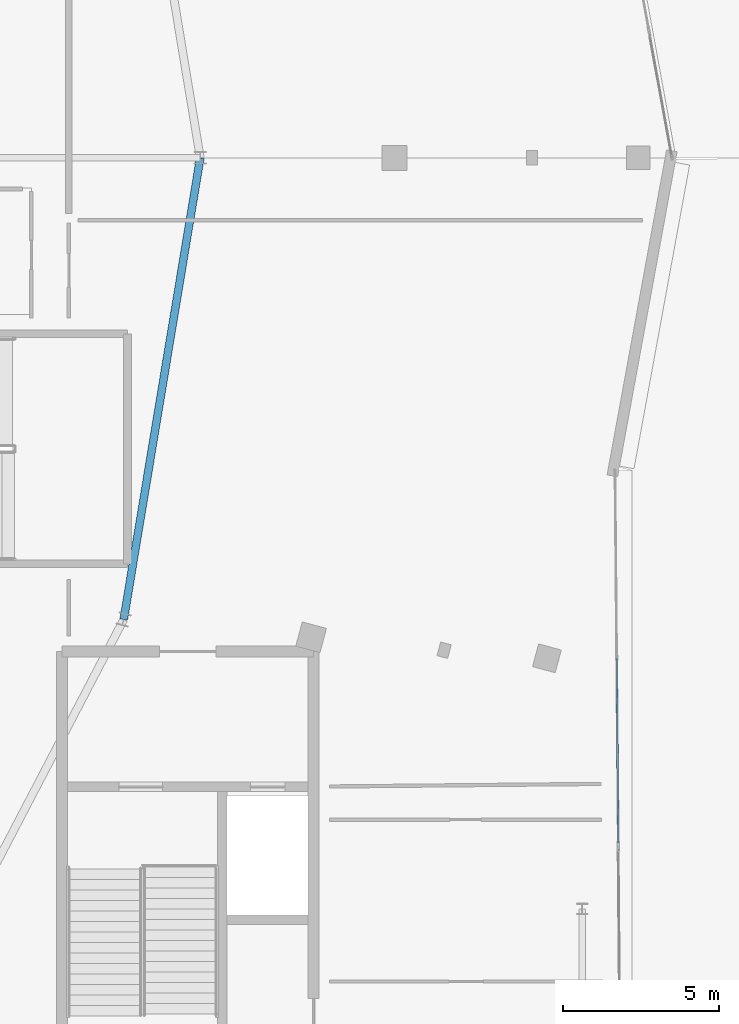
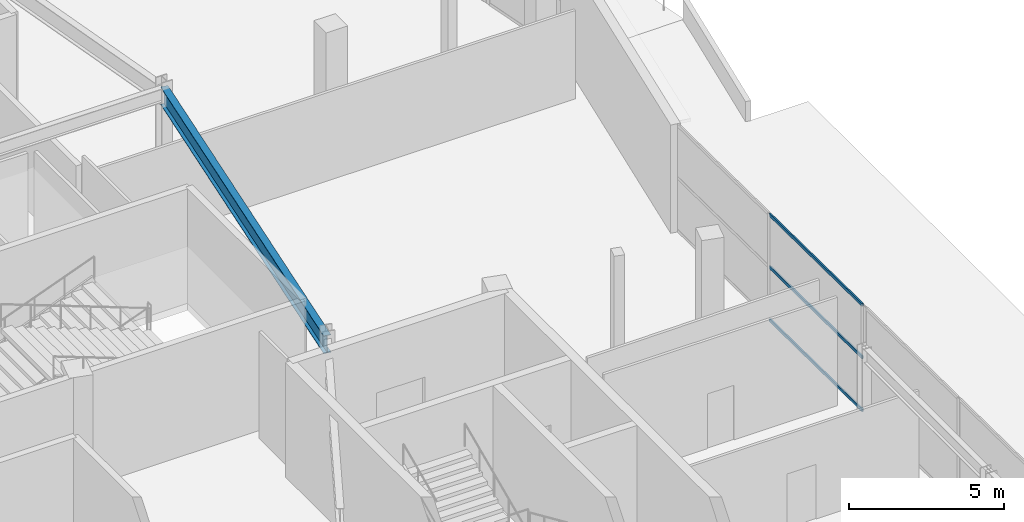
# One storey, part 51 of 107: 3 members, 1 beam, 1 element without a shape of its own.
"""IFC4 building model written with IfcOpenShell, lengths in metres."""

from ifc_helpers import new_model, si_unit, direction, frame, origin, origin_2d, place, context, subcontext, project, spatial, hollow_rectangle, i_section, extrude, material, layer, layer_set, material_profile, profile_set, type_object, element, aggregate, save


model = new_model("IFC4")

# Units and contexts
model_context = context("Model", 3, precision=1e-05, world=origin(), true_north=direction((0.0, 1.0)))
body_context = subcontext(model_context, "Body", "Model", "MODEL_VIEW")
ifc_project = project(units=[si_unit("LENGTHUNIT", "METRE"), si_unit("AREAUNIT", "SQUARE_METRE"), si_unit("VOLUMEUNIT", "CUBIC_METRE"), si_unit("PLANEANGLEUNIT", "RADIAN"), si_unit("MASSUNIT", "GRAM", prefix="KILO")], contexts=[model_context])

# Site, building, storey
site_placement = place(None, origin())
site = spatial("IfcSite", under=ifc_project, at=site_placement, CompositionType="ELEMENT")
building_placement = place(site_placement, origin())
building = spatial("IfcBuilding", under=site, at=building_placement, Name="Kalgoora Escarpment Arena", CompositionType="ELEMENT")
storey_placement = place(building_placement, frame((0.0, 0.0, 5.39990234375)))
storey = spatial("IfcBuildingStorey", under=building, at=storey_placement, Name="L01", CompositionType="ELEMENT", Elevation=5.39990234375)

# Beam
ifc_material_1 = material(Name="Structural steel AS/NZS 3679 (300 MPa)", Category="steel")
ifc_material_profile_1 = material_profile(ifc_material_1, i_section(OverallWidth=0.25, OverallDepth=0.699951171875, WebThickness=0.010009765625, FlangeThickness=0.02001953125, at=origin_2d()))
ifc_profile_set_1 = profile_set([ifc_material_profile_1], Name="Structural steel AS/NZS 3679 (300 MPa)")
beam_type = type_object("IfcBeamType", Name="BM-SPANDREL-700WB130", PredefinedType="SPANDREL", material=ifc_profile_set_1)
beam_placement = place(storey_placement, frame((161.75341796875, 49.247314453125, 3.85009765625), z_axis=(0.163602052226, 0.986526415514, 0.0), x_axis=(-0.986526415514, 0.163602052226, 0.0)))
element("IfcBeam", 1, at=beam_placement, inside=storey, type_object=beam_type, Name="L01 Circumferential concourse girder RCONC2 700WB130", PredefinedType="SPANDREL", context=body_context, shape_type="SweptSolid", body=[
    extrude(i_section(OverallWidth=0.25, OverallDepth=0.699951171875, WebThickness=0.010009765625, FlangeThickness=0.02001953125, at=origin_2d()), origin(), (0.0, 0.0, 1.0), 14.9541015625),
])

# Curtain wall, members
ifc_material_2 = material(Name=" Champagne anodised aluminium & double-glazed low-E", Category="aluminium")
ifc_layer = layer(ifc_material_2, 0.162109375)
ifc_layer_set = layer_set([ifc_layer], Name="CW-UNIT-18")
curtain_wall_type = type_object("IfcCurtainWallType", Name="CW-UNIT-18", PredefinedType="NOTDEFINED", material=ifc_layer_set)
curtain_wall_placement = place(storey_placement, origin())
curtain_wall = element("IfcCurtainWall", 2, at=curtain_wall_placement, inside=storey, type_object=curtain_wall_type, Name="L01 unitised facade curtain wall 037", PredefinedType="NOTDEFINED")
ifc_material_3 = material(Name="Anodised aluminium 6063-T6", Category="aluminium")
ifc_material_profile_2 = material_profile(ifc_material_3, hollow_rectangle(XDim=0.054931640625, YDim=0.1201171875, WallThickness=0.003173828125, at=origin_2d()))
ifc_profile_set_2 = profile_set([ifc_material_profile_2], Name="Anodised aluminium 6063-T6")
member_type = type_object("IfcMemberType", Name="MEM-CW-TRAN-120", PredefinedType="USERDEFINED", material=ifc_profile_set_2)
member_1_placement = place(storey_placement, frame((177.504150390625, 47.993896484375, 0.047607421875), z_axis=(0.008960436779, -0.999959854481, 0.0), x_axis=(0.999959854481, 0.008960436779, 0.0)))
member_1 = element("IfcMember", 3, at=member_1_placement, type_object=member_type, Name="CW-18 transom 2.1", ObjectType="TRANSOM", PredefinedType="USERDEFINED", context=body_context, shape_type="SweptSolid", body=[
    extrude(hollow_rectangle(XDim=0.054931640625, YDim=0.1201171875, WallThickness=0.003173828125, at=origin_2d()), origin(), (0.0, 0.0, 1.0), 5.88525390625),
])
member_2_placement = place(storey_placement, frame((177.504150390625, 47.993896484375, 2.130126953125), z_axis=(0.008960436779, -0.999959854481, 0.0), x_axis=(0.999959854481, 0.008960436779, 0.0)))
member_2 = element("IfcMember", 4, at=member_2_placement, type_object=member_type, Name="CW-18 transom 2.2", ObjectType="TRANSOM", PredefinedType="USERDEFINED", context=body_context, shape_type="SweptSolid", body=[
    extrude(hollow_rectangle(XDim=0.054931640625, YDim=0.1201171875, WallThickness=0.003173828125, at=origin_2d()), origin(), (0.0, 0.0, 1.0), 5.88525390625),
])
member_3_placement = place(storey_placement, frame((177.504150390625, 47.993896484375, 4.192626953125), z_axis=(0.008960436779, -0.999959854481, 0.0), x_axis=(0.999959854481, 0.008960436779, 0.0)))
member_3 = element("IfcMember", 5, at=member_3_placement, type_object=member_type, Name="CW-18 transom 2.3", ObjectType="TRANSOM", PredefinedType="USERDEFINED", context=body_context, shape_type="SweptSolid", body=[
    extrude(hollow_rectangle(XDim=0.054931640625, YDim=0.1201171875, WallThickness=0.003173828125, at=origin_2d()), origin(), (0.0, 0.0, 1.0), 5.88525390625),
])
aggregate(curtain_wall, [member_1, member_2, member_3])

save(model, "model.ifc")
